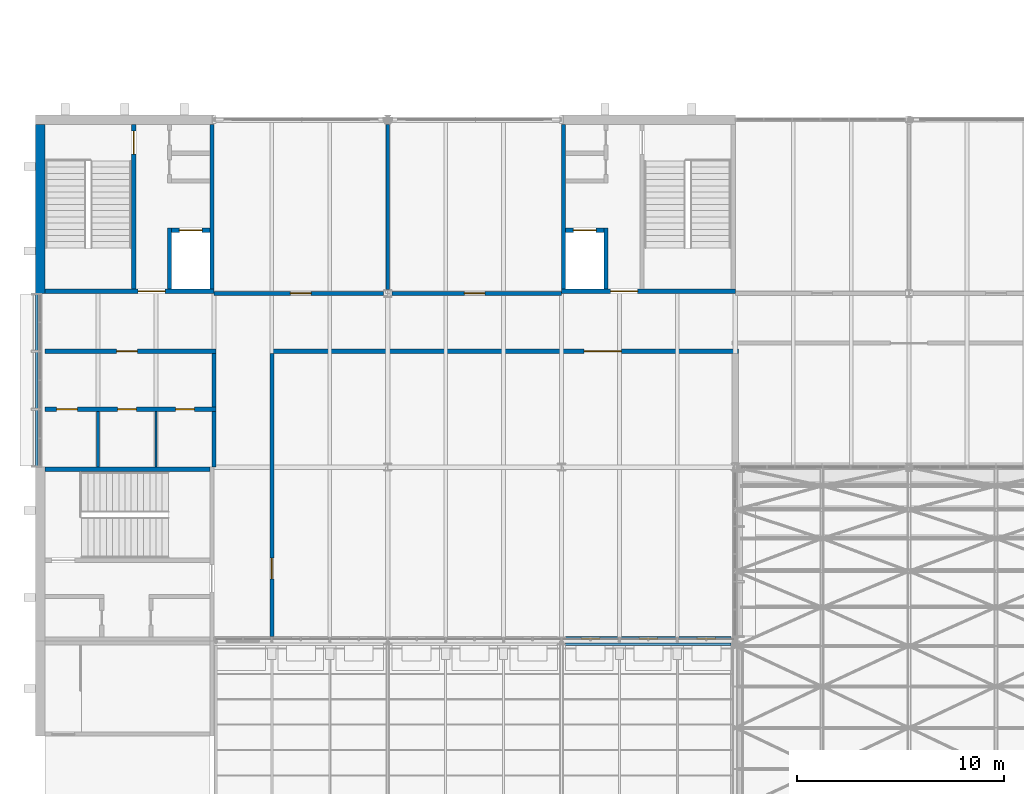
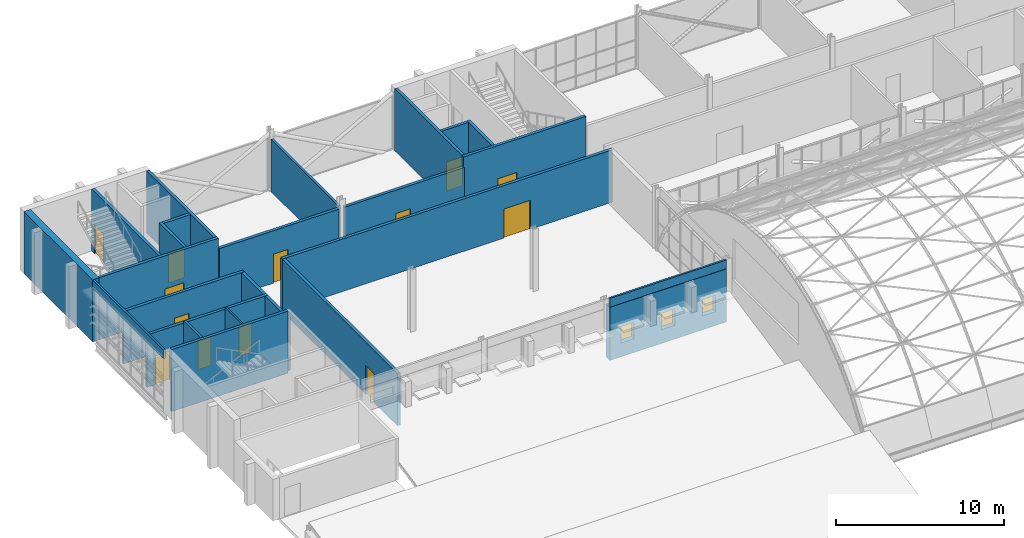
# One storey, part 83 of 121: 25 walls, 13 doors, 3 windows, 16 openings.
"""IFC4 building model written with IfcOpenShell, lengths in metres."""

from ifc_helpers import new_model, si_unit, direction, frame, frame_2d, origin, place, context, subcontext, project, spatial, rectangle, extrude, material, layer, layer_set, type_object, element, fill, save


model = new_model("IFC4")

# Units and contexts
model_context = context("Model", 3, precision=1e-05, world=origin(), true_north=direction((0.0, 1.0)))
body_context = subcontext(model_context, "Body", "Model", "MODEL_VIEW")
ifc_project = project(units=[si_unit("LENGTHUNIT", "METRE"), si_unit("AREAUNIT", "SQUARE_METRE"), si_unit("VOLUMEUNIT", "CUBIC_METRE"), si_unit("PLANEANGLEUNIT", "RADIAN"), si_unit("MASSUNIT", "GRAM", prefix="KILO")], contexts=[model_context])

# Site, building, storey
site_placement = place(None, origin())
site = spatial("IfcSite", under=ifc_project, at=site_placement, CompositionType="ELEMENT")
building_placement = place(site_placement, origin())
building = spatial("IfcBuilding", under=site, at=building_placement, Name="Ardhachandra Cancer Care Centre", CompositionType="ELEMENT")
storey_placement = place(building_placement, frame((0.0, 0.0, 9.0)))
storey = spatial("IfcBuildingStorey", under=building, at=storey_placement, Name="L02", CompositionType="ELEMENT", Elevation=9.0)

# Wall, openings, windows
ifc_material_1 = material(Name="Brick masonry (clay brick, cement mortar) with mineral wool cavity insulation", Category="masonry")
ifc_layer_1 = layer(ifc_material_1, 0.449951171875)
ifc_layer_set_1 = layer_set([ifc_layer_1], Name="Brick masonry (clay brick, cement mortar) with mineral wool cavity insulation")
wall_type_1 = type_object("IfcWallType", Name="Brick wall 450", PredefinedType="SOLIDWALL", material=ifc_layer_set_1)
wall_1_placement = place(storey_placement, frame((36.195556640625, 71.39990234375, 0.0), z_axis=(0.0, 0.0, 1.0), x_axis=(1.0, 0.0, 0.0)))
wall_1 = element("IfcWall", 1, at=wall_1_placement, inside=storey, type_object=wall_type_1, Name="E/wall/L02/s/0036000_0071400", PredefinedType="SOLIDWALL", context=body_context, shape_type="SweptSolid", body=[
    extrude(rectangle(XDim=8.009033203125, YDim=0.449951171875, at=frame_2d((4.00439453125, 0.0))), origin(), (0.0, 0.0, 1.0), 3.85009765625),
])
opening_1_placement = place(wall_1_placement, frame((0.75439453125, 0.0, 1.0)))
opening_1 = element("IfcOpeningElement", 2, at=opening_1_placement, cuts=wall_1, Name="Opening W10", PredefinedType="OPENING", context=body_context, shape_type="SweptSolid", body=[
    extrude(rectangle(XDim=0.89990234375, YDim=1.199951171875, at=frame_2d((0.449951171875, 0.60009765625))), frame((0.0, 0.23486328125, 0.0), z_axis=(0.0, -1.0, 0.0), x_axis=(1.0, 0.0, 0.0)), (0.0, 0.0, 1.0), 0.469970703125),
])
opening_2_placement = place(wall_1_placement, frame((3.554443359375, 0.0, 1.0)))
opening_2 = element("IfcOpeningElement", 3, at=opening_2_placement, cuts=wall_1, Name="Opening W10", PredefinedType="OPENING", context=body_context, shape_type="SweptSolid", body=[
    extrude(rectangle(XDim=0.89990234375, YDim=1.199951171875, at=frame_2d((0.449951171875, 0.60009765625))), frame((0.0, 0.23486328125, 0.0), z_axis=(0.0, -1.0, 0.0), x_axis=(1.0, 0.0, 0.0)), (0.0, 0.0, 1.0), 0.469970703125),
])
opening_3_placement = place(wall_1_placement, frame((6.3544921875, 0.0, 1.0)))
opening_3 = element("IfcOpeningElement", 4, at=opening_3_placement, cuts=wall_1, Name="Opening W10", PredefinedType="OPENING", context=body_context, shape_type="SweptSolid", body=[
    extrude(rectangle(XDim=0.89990234375, YDim=1.199951171875, at=frame_2d((0.449951171875, 0.60009765625))), frame((0.0, 0.23486328125, 0.0), z_axis=(0.0, -1.0, 0.0), x_axis=(1.0, 0.0, 0.0)), (0.0, 0.0, 1.0), 0.469970703125),
])
ifc_material_2 = material(Name="Aluminium frame with double-glazed unit", Category="aluminium")
window_type = type_object("IfcWindowType", Name="Small deep-set window 900 x 1200", PartitioningType="SINGLE_PANEL", PredefinedType="WINDOW", material=ifc_material_2)
window_1_placement = place(opening_1_placement, origin())
window_1 = element("IfcWindow", 5, at=window_1_placement, inside=storey, type_object=window_type, Name="W10 window L02 s/0036000_0071400 1", OverallHeight=1.199951171875, OverallWidth=0.89990234375, PartitioningType="SINGLE_PANEL", PredefinedType="WINDOW", context=body_context, shape_type="SweptSolid", body=[
    extrude(rectangle(XDim=0.89990234375, YDim=1.199951171875, at=frame_2d((0.449951171875, 0.60009765625))), frame((0.0, 0.135009765625, 0.0), z_axis=(0.0, -1.0, 0.0), x_axis=(1.0, 0.0, 0.0)), (0.0, 0.0, 1.0), 0.06005859375),
])
fill(opening_1, window_1)
window_2_placement = place(opening_2_placement, origin())
window_2 = element("IfcWindow", 6, at=window_2_placement, inside=storey, type_object=window_type, Name="W10 window L02 s/0036000_0071400 2", OverallHeight=1.199951171875, OverallWidth=0.89990234375, PartitioningType="SINGLE_PANEL", PredefinedType="WINDOW", context=body_context, shape_type="SweptSolid", body=[
    extrude(rectangle(XDim=0.89990234375, YDim=1.199951171875, at=frame_2d((0.449951171875, 0.60009765625))), frame((0.0, 0.135009765625, 0.0), z_axis=(0.0, -1.0, 0.0), x_axis=(1.0, 0.0, 0.0)), (0.0, 0.0, 1.0), 0.06005859375),
])
fill(opening_2, window_2)
window_3_placement = place(opening_3_placement, origin())
window_3 = element("IfcWindow", 7, at=window_3_placement, inside=storey, type_object=window_type, Name="W10 window L02 s/0036000_0071400 3", OverallHeight=1.199951171875, OverallWidth=0.89990234375, PartitioningType="SINGLE_PANEL", PredefinedType="WINDOW", context=body_context, shape_type="SweptSolid", body=[
    extrude(rectangle(XDim=0.89990234375, YDim=1.199951171875, at=frame_2d((0.449951171875, 0.60009765625))), frame((0.0, 0.135009765625, 0.0), z_axis=(0.0, -1.0, 0.0), x_axis=(1.0, 0.0, 0.0)), (0.0, 0.0, 1.0), 0.06005859375),
])
fill(opening_3, window_3)

# Wall, openings, doors
ifc_material_3 = material(Name="Gypsum board corridor partition on steel studs", Category="steel")
ifc_layer_2 = layer(ifc_material_3, 0.199951171875)
ifc_layer_set_2 = layer_set([ifc_layer_2], Name="Gypsum board corridor partition on steel studs")
wall_type_2 = type_object("IfcWallType", Name="CORRIDOR WALL 200", PredefinedType="PARTITIONING", material=ifc_layer_set_2)
wall_2_placement = place(storey_placement, frame((11.02490234375, 82.60009765625, 0.0), z_axis=(0.0, 0.0, 1.0), x_axis=(1.0, 0.0, 0.0)))
wall_2 = element("IfcWall", 8, at=wall_2_placement, inside=storey, type_object=wall_type_2, Name="R/wall/L02/h0082600_0011025", PredefinedType="PARTITIONING", context=body_context, shape_type="SweptSolid", body=[
    extrude(rectangle(XDim=8.275146484375, YDim=0.199951171875, at=frame_2d((4.1376953125, 0.0))), origin(), (0.0, 0.0, 1.0), 3.800048828125),
])
opening_4_placement = place(wall_2_placement, frame((0.574951171875, 0.0, 0.0)))
opening_4 = element("IfcOpeningElement", 9, at=opening_4_placement, cuts=wall_2, Name="Opening L02-0002", PredefinedType="OPENING", context=body_context, shape_type="SweptSolid", body=[
    extrude(rectangle(XDim=1.0, YDim=2.10009765625, at=frame_2d((0.5, 1.050048828125))), frame((0.0, 0.10986328125, 0.0), z_axis=(0.0, -1.0, 0.0), x_axis=(1.0, 0.0, 0.0)), (0.0, 0.0, 1.0), 0.219970703125),
])
opening_5_placement = place(wall_2_placement, frame((3.52490234375, 0.0, 0.0)))
opening_5 = element("IfcOpeningElement", 10, at=opening_5_placement, cuts=wall_2, Name="Opening L02-0003", PredefinedType="OPENING", context=body_context, shape_type="SweptSolid", body=[
    extrude(rectangle(XDim=0.89990234375, YDim=2.10009765625, at=frame_2d((0.449951171875, 1.050048828125))), frame((0.0, 0.10986328125, 0.0), z_axis=(0.0, -1.0, 0.0), x_axis=(1.0, 0.0, 0.0)), (0.0, 0.0, 1.0), 0.219970703125),
])
opening_6_placement = place(wall_2_placement, frame((6.324951171875, 0.0, 0.0)))
opening_6 = element("IfcOpeningElement", 11, at=opening_6_placement, cuts=wall_2, Name="Opening L02-0004", PredefinedType="OPENING", context=body_context, shape_type="SweptSolid", body=[
    extrude(rectangle(XDim=0.89990234375, YDim=2.10009765625, at=frame_2d((0.449951171875, 1.050048828125))), frame((0.0, 0.10986328125, 0.0), z_axis=(0.0, -1.0, 0.0), x_axis=(1.0, 0.0, 0.0)), (0.0, 0.0, 1.0), 0.219970703125),
])
ifc_material_4 = material(Name="Timber fire door with smoke seals", Category="wood")
door_type_1 = type_object("IfcDoorType", Name="FIRE DOOR SINGLE 1000x2100 FD30S", OperationType="NOTDEFINED", PredefinedType="DOOR", material=ifc_material_4)
door_1_placement = place(opening_4_placement, origin())
door_1 = element("IfcDoor", 12, at=door_1_placement, inside=storey, type_object=door_type_1, Name="Door L02-0002", OperationType="SINGLE_SWING_RIGHT", OverallHeight=2.10009765625, OverallWidth=1.0, PredefinedType="DOOR", context=body_context, shape_type="SweptSolid", body=[
    extrude(rectangle(XDim=1.0, YDim=2.10009765625, at=frame_2d((0.5, 1.050048828125))), frame((0.0, 0.02490234375, 0.0), z_axis=(0.0, -1.0, 0.0), x_axis=(1.0, 0.0, 0.0)), (0.0, 0.0, 1.0), 0.050048828125),
])
fill(opening_4, door_1)
ifc_material_5 = material(Name="Timber fire door with smoke seals", Category="wood")
door_type_2 = type_object("IfcDoorType", Name="FIRE DOOR WC 900x2100 FD30S", OperationType="NOTDEFINED", PredefinedType="DOOR", material=ifc_material_5)
door_2_placement = place(opening_5_placement, origin())
door_2 = element("IfcDoor", 13, at=door_2_placement, inside=storey, type_object=door_type_2, Name="Door L02-0003", OperationType="SINGLE_SWING_RIGHT", OverallHeight=2.10009765625, OverallWidth=0.89990234375, PredefinedType="DOOR", context=body_context, shape_type="SweptSolid", body=[
    extrude(rectangle(XDim=0.89990234375, YDim=2.10009765625, at=frame_2d((0.449951171875, 1.050048828125))), frame((0.0, 0.02490234375, 0.0), z_axis=(0.0, -1.0, 0.0), x_axis=(1.0, 0.0, 0.0)), (0.0, 0.0, 1.0), 0.050048828125),
])
fill(opening_5, door_2)
door_3_placement = place(opening_6_placement, origin())
door_3 = element("IfcDoor", 14, at=door_3_placement, inside=storey, type_object=door_type_2, Name="Door L02-0004", OperationType="SINGLE_SWING_LEFT", OverallHeight=2.10009765625, OverallWidth=0.89990234375, PredefinedType="DOOR", context=body_context, shape_type="SweptSolid", body=[
    extrude(rectangle(XDim=0.89990234375, YDim=2.10009765625, at=frame_2d((0.449951171875, 1.050048828125))), frame((0.0, 0.02490234375, 0.0), z_axis=(0.0, -1.0, 0.0), x_axis=(1.0, 0.0, 0.0)), (0.0, 0.0, 1.0), 0.050048828125),
])
fill(opening_6, door_3)

# Wall, opening, door
wall_3_placement = place(storey_placement, frame((11.02490234375, 85.39990234375, 0.0), z_axis=(0.0, 0.0, 1.0), x_axis=(1.0, 0.0, 0.0)))
wall_3 = element("IfcWall", 15, at=wall_3_placement, inside=storey, type_object=wall_type_2, Name="R/wall/L02/h0085400_0011025", PredefinedType="PARTITIONING", context=body_context, shape_type="SweptSolid", body=[
    extrude(rectangle(XDim=8.275146484375, YDim=0.199951171875, at=frame_2d((4.1376953125, 0.0))), origin(), (0.0, 0.0, 1.0), 3.800048828125),
])
opening_7_placement = place(wall_3_placement, frame((3.47509765625, 0.0, 0.0)))
opening_7 = element("IfcOpeningElement", 16, at=opening_7_placement, cuts=wall_3, Name="Opening L02-0008", PredefinedType="OPENING", context=body_context, shape_type="SweptSolid", body=[
    extrude(rectangle(XDim=1.0, YDim=2.10009765625, at=frame_2d((0.5, 1.050048828125))), frame((0.0, 0.10986328125, 0.0), z_axis=(0.0, -1.0, 0.0), x_axis=(1.0, 0.0, 0.0)), (0.0, 0.0, 1.0), 0.219970703125),
])
door_4_placement = place(opening_7_placement, origin())
door_4 = element("IfcDoor", 17, at=door_4_placement, inside=storey, type_object=door_type_1, Name="Door L02-0008", OperationType="SINGLE_SWING_RIGHT", OverallHeight=2.10009765625, OverallWidth=1.0, PredefinedType="DOOR", context=body_context, shape_type="SweptSolid", body=[
    extrude(rectangle(XDim=1.0, YDim=2.10009765625, at=frame_2d((0.5, 1.050048828125))), frame((0.0, 0.02490234375, 0.0), z_axis=(0.0, -1.0, 0.0), x_axis=(1.0, 0.0, 0.0)), (0.0, 0.0, 1.0), 0.050048828125),
])
fill(opening_7, door_4)

wall_4_placement = place(storey_placement, frame((21.89990234375, 85.39990234375, 0.0), z_axis=(0.0, 0.0, 1.0), x_axis=(1.0, 0.0, 0.0)))
wall_4 = element("IfcWall", 18, at=wall_4_placement, inside=storey, type_object=wall_type_2, Name="R/wall/L02/h0085400_0021900", PredefinedType="PARTITIONING", context=body_context, shape_type="SweptSolid", body=[
    extrude(rectangle(XDim=22.650146484375, YDim=0.199951171875, at=frame_2d((11.3251953125, 0.0))), origin(), (0.0, 0.0, 1.0), 3.800048828125),
])
opening_8_placement = place(wall_4_placement, frame((15.199951171875, 0.0, 0.0)))
opening_8 = element("IfcOpeningElement", 19, at=opening_8_placement, cuts=wall_4, Name="Opening L02-0009", PredefinedType="OPENING", context=body_context, shape_type="SweptSolid", body=[
    extrude(rectangle(XDim=1.800048828125, YDim=2.10009765625, at=frame_2d((0.89990234375, 1.050048828125))), frame((0.0, 0.10986328125, 0.0), z_axis=(0.0, -1.0, 0.0), x_axis=(1.0, 0.0, 0.0)), (0.0, 0.0, 1.0), 0.219970703125),
])
ifc_material_6 = material(Name="Timber fire door with smoke seals", Category="wood")
door_type_3 = type_object("IfcDoorType", Name="FIRE DOOR DOUBLE 1800x2100 FD30S", OperationType="NOTDEFINED", PredefinedType="DOOR", material=ifc_material_6)
door_5_placement = place(opening_8_placement, origin())
door_5 = element("IfcDoor", 20, at=door_5_placement, inside=storey, type_object=door_type_3, Name="Door L02-0009", OperationType="DOUBLE_DOOR_SINGLE_SWING", OverallHeight=2.10009765625, OverallWidth=1.800048828125, PredefinedType="DOOR", context=body_context, shape_type="SweptSolid", body=[
    extrude(rectangle(XDim=1.800048828125, YDim=2.10009765625, at=frame_2d((0.89990234375, 1.050048828125))), frame((0.0, 0.02490234375, 0.0), z_axis=(0.0, -1.0, 0.0), x_axis=(1.0, 0.0, 0.0)), (0.0, 0.0, 1.0), 0.050048828125),
])
fill(opening_8, door_5)

wall_5_placement = place(storey_placement, frame((19.199951171875, 88.199951171875, 0.0), z_axis=(0.0, 0.0, 1.0), x_axis=(1.0, 0.0, 0.0)))
wall_5 = element("IfcWall", 21, at=wall_5_placement, inside=storey, type_object=wall_type_2, Name="R/wall/L02/h0088200_0019200", PredefinedType="PARTITIONING", context=body_context, shape_type="SweptSolid", body=[
    extrude(rectangle(XDim=8.20458984375, YDim=0.199951171875, at=frame_2d((4.102294921875, 0.0))), origin(), (0.0, 0.0, 1.0), 3.800048828125),
])
opening_9_placement = place(wall_5_placement, frame((3.699951171875, 0.0, 0.0)))
opening_9 = element("IfcOpeningElement", 22, at=opening_9_placement, cuts=wall_5, Name="Opening L02-0017", PredefinedType="OPENING", context=body_context, shape_type="SweptSolid", body=[
    extrude(rectangle(XDim=1.0, YDim=2.10009765625, at=frame_2d((0.5, 1.050048828125))), frame((0.0, 0.10986328125, 0.0), z_axis=(0.0, -1.0, 0.0), x_axis=(1.0, 0.0, 0.0)), (0.0, 0.0, 1.0), 0.219970703125),
])
door_6_placement = place(opening_9_placement, origin())
door_6 = element("IfcDoor", 23, at=door_6_placement, inside=storey, type_object=door_type_1, Name="Door L02-0017", OperationType="SINGLE_SWING_RIGHT", OverallHeight=2.10009765625, OverallWidth=1.0, PredefinedType="DOOR", context=body_context, shape_type="SweptSolid", body=[
    extrude(rectangle(XDim=1.0, YDim=2.10009765625, at=frame_2d((0.5, 1.050048828125))), frame((0.0, 0.02490234375, 0.0), z_axis=(0.0, -1.0, 0.0), x_axis=(1.0, 0.0, 0.0)), (0.0, 0.0, 1.0), 0.050048828125),
])
fill(opening_9, door_6)

wall_6_placement = place(storey_placement, frame((27.79541015625, 88.199951171875, 0.0), z_axis=(0.0, 0.0, 1.0), x_axis=(1.0, 0.0, 0.0)))
wall_6 = element("IfcWall", 24, at=wall_6_placement, inside=storey, type_object=wall_type_2, Name="R/wall/L02/h0088200_0027796", PredefinedType="PARTITIONING", context=body_context, shape_type="SweptSolid", body=[
    extrude(rectangle(XDim=8.20458984375, YDim=0.199951171875, at=frame_2d((4.102294921875, 0.0))), origin(), (0.0, 0.0, 1.0), 3.800048828125),
])
opening_10_placement = place(wall_6_placement, frame((3.50439453125, 0.0, 0.0)))
opening_10 = element("IfcOpeningElement", 25, at=opening_10_placement, cuts=wall_6, Name="Opening L02-0018", PredefinedType="OPENING", context=body_context, shape_type="SweptSolid", body=[
    extrude(rectangle(XDim=1.0, YDim=2.10009765625, at=frame_2d((0.5, 1.050048828125))), frame((0.0, 0.10986328125, 0.0), z_axis=(0.0, -1.0, 0.0), x_axis=(1.0, 0.0, 0.0)), (0.0, 0.0, 1.0), 0.219970703125),
])
door_7_placement = place(opening_10_placement, origin())
door_7 = element("IfcDoor", 26, at=door_7_placement, inside=storey, type_object=door_type_1, Name="Door L02-0018", OperationType="SINGLE_SWING_LEFT", OverallHeight=2.10009765625, OverallWidth=1.0, PredefinedType="DOOR", context=body_context, shape_type="SweptSolid", body=[
    extrude(rectangle(XDim=1.0, YDim=2.10009765625, at=frame_2d((0.5, 1.050048828125))), frame((0.0, 0.02490234375, 0.0), z_axis=(0.0, -1.0, 0.0), x_axis=(1.0, 0.0, 0.0)), (0.0, 0.0, 1.0), 0.050048828125),
])
fill(opening_10, door_7)

# Walls
wall_7_placement = place(storey_placement, frame((19.199951171875, 79.800048828125, 0.0), z_axis=(0.0, 0.0, 1.0), x_axis=(0.0, 1.0, 0.0)))
element("IfcWall", 27, at=wall_7_placement, inside=storey, type_object=wall_type_2, Name="R/wall/L02/v0019200_0079800", PredefinedType="PARTITIONING", context=body_context, shape_type="SweptSolid", body=[
    extrude(rectangle(XDim=2.699951171875, YDim=0.199951171875, at=frame_2d((1.35009765625, 0.0))), origin(), (0.0, 0.0, 1.0), 3.800048828125),
])
wall_8_placement = place(storey_placement, frame((19.199951171875, 82.699951171875, 0.0), z_axis=(0.0, 0.0, 1.0), x_axis=(0.0, 1.0, 0.0)))
element("IfcWall", 28, at=wall_8_placement, inside=storey, type_object=wall_type_2, Name="R/wall/L02/v0019200_0082700", PredefinedType="PARTITIONING", context=body_context, shape_type="SweptSolid", body=[
    extrude(rectangle(XDim=2.60009765625, YDim=0.199951171875, at=frame_2d((1.300048828125, 0.0))), origin(), (0.0, 0.0, 1.0), 3.800048828125),
])

# Wall, opening, door
wall_9_placement = place(storey_placement, frame((22.0, 71.625, 0.0), z_axis=(0.0, 0.0, 1.0), x_axis=(0.0, 1.0, 0.0)))
wall_9 = element("IfcWall", 29, at=wall_9_placement, inside=storey, type_object=wall_type_2, Name="R/wall/L02/v0022000_0071625", PredefinedType="PARTITIONING", context=body_context, shape_type="SweptSolid", body=[
    extrude(rectangle(XDim=13.675048828125, YDim=0.199951171875, at=frame_2d((6.83740234375, 0.0))), origin(), (0.0, 0.0, 1.0), 3.800048828125),
])
opening_11_placement = place(wall_9_placement, frame((2.77490234375, 0.0, 0.0)))
opening_11 = element("IfcOpeningElement", 30, at=opening_11_placement, cuts=wall_9, Name="Opening L02-0034", PredefinedType="OPENING", context=body_context, shape_type="SweptSolid", body=[
    extrude(rectangle(XDim=1.0, YDim=2.10009765625, at=frame_2d((0.5, 1.050048828125))), frame((0.0, 0.10986328125, 0.0), z_axis=(0.0, -1.0, 0.0), x_axis=(1.0, 0.0, 0.0)), (0.0, 0.0, 1.0), 0.219970703125),
])
door_8_placement = place(opening_11_placement, origin())
door_8 = element("IfcDoor", 31, at=door_8_placement, inside=storey, type_object=door_type_1, Name="Door L02-0034", OperationType="SINGLE_SWING_RIGHT", OverallHeight=2.10009765625, OverallWidth=1.0, PredefinedType="DOOR", context=body_context, shape_type="SweptSolid", body=[
    extrude(rectangle(XDim=1.0, YDim=2.10009765625, at=frame_2d((0.5, 1.050048828125))), frame((0.0, 0.02490234375, 0.0), z_axis=(0.0, -1.0, 0.0), x_axis=(1.0, 0.0, 0.0)), (0.0, 0.0, 1.0), 0.050048828125),
])
fill(opening_11, door_8)

# Wall
ifc_material_7 = material(Name="Concrete M40", Category="concrete")
ifc_layer_3 = layer(ifc_material_7, 0.449951171875)
ifc_layer_set_3 = layer_set([ifc_layer_3], Name="Concrete M40")
wall_type_3 = type_object("IfcWallType", Name="Core exterior wall RC 450", PredefinedType="SOLIDWALL", material=ifc_layer_set_3)
wall_10_placement = place(storey_placement, frame((10.800048828125, 88.199951171875, 0.0), z_axis=(0.0, 0.0, 1.0), x_axis=(0.0, 1.0, 0.0)))
element("IfcWall", 32, at=wall_10_placement, inside=storey, type_object=wall_type_3, Name="Core wall K4 UW", PredefinedType="SOLIDWALL", context=body_context, shape_type="SweptSolid", body=[
    extrude(rectangle(XDim=8.175048828125, YDim=0.449951171875, at=frame_2d((4.08740234375, 0.0))), origin(), (0.0, 0.0, 1.0), 4.5),
])

# Wall, opening, door
ifc_material_8 = material(Name="Concrete M40", Category="concrete")
ifc_layer_4 = layer(ifc_material_8, 0.199951171875)
ifc_layer_set_4 = layer_set([ifc_layer_4], Name="Concrete M40")
wall_type_4 = type_object("IfcWallType", Name="Core wall RC 200", PredefinedType="SOLIDWALL", material=ifc_layer_set_4)
wall_11_placement = place(storey_placement, frame((11.02490234375, 88.300048828125, 0.0), z_axis=(0.0, 0.0, 1.0), x_axis=(1.0, 0.0, 0.0)))
wall_11 = element("IfcWall", 33, at=wall_11_placement, inside=storey, type_object=wall_type_4, Name="Core wall K4 ENT", PredefinedType="SOLIDWALL", context=body_context, shape_type="SweptSolid", body=[
    extrude(rectangle(XDim=8.175048828125, YDim=0.199951171875, at=frame_2d((4.08740234375, 0.0))), origin(), (0.0, 0.0, 1.0), 4.5),
])
opening_12_placement = place(wall_11_placement, frame((4.512451171875, 0.0, 0.0)))
opening_12 = element("IfcOpeningElement", 34, at=opening_12_placement, cuts=wall_11, Name="Opening L02-K04-1", PredefinedType="OPENING", context=body_context, shape_type="SweptSolid", body=[
    extrude(rectangle(XDim=1.300048828125, YDim=2.10009765625, at=frame_2d((0.64990234375, 1.050048828125))), frame((0.0, 0.10986328125, 0.0), z_axis=(0.0, -1.0, 0.0), x_axis=(1.0, 0.0, 0.0)), (0.0, 0.0, 1.0), 0.219970703125),
])
ifc_material_9 = material(Name="Steel door set", Category="steel")
door_type_4 = type_object("IfcDoorType", Name="Core entry double door 1300x2100 FD60", OperationType="DOUBLE_DOOR_DOUBLE_SWING", PredefinedType="DOOR", material=ifc_material_9)
door_9_placement = place(opening_12_placement, origin())
door_9 = element("IfcDoor", 35, at=door_9_placement, inside=storey, type_object=door_type_4, Name="Core entry door", OperationType="DOUBLE_DOOR_DOUBLE_SWING", OverallHeight=2.10009765625, OverallWidth=1.300048828125, PredefinedType="DOOR", context=body_context, shape_type="SweptSolid", body=[
    extrude(rectangle(XDim=1.300048828125, YDim=2.10009765625, at=frame_2d((0.64990234375, 1.050048828125))), frame((0.0, 0.02490234375, 0.0), z_axis=(0.0, -1.0, 0.0), x_axis=(1.0, 0.0, 0.0)), (0.0, 0.0, 1.0), 0.050048828125),
])
fill(opening_12, door_9)

# Wall
wall_12_placement = place(storey_placement, frame((19.10009765625, 88.39990234375, 0.0), z_axis=(0.0, 0.0, 1.0), x_axis=(0.0, 1.0, 0.0)))
element("IfcWall", 36, at=wall_12_placement, inside=storey, type_object=wall_type_4, Name="Core wall K4 UE", PredefinedType="SOLIDWALL", context=body_context, shape_type="SweptSolid", body=[
    extrude(rectangle(XDim=7.97509765625, YDim=0.199951171875, at=frame_2d((3.987548828125, 0.0))), origin(), (0.0, 0.0, 1.0), 4.5),
])

# Wall, opening, door
wall_13_placement = place(storey_placement, frame((15.324951171875, 88.39990234375, 0.0), z_axis=(0.0, 0.0, 1.0), x_axis=(0.0, 1.0, 0.0)))
wall_13 = element("IfcWall", 37, at=wall_13_placement, inside=storey, type_object=wall_type_4, Name="Core wall K4 P1", PredefinedType="SOLIDWALL", context=body_context, shape_type="SweptSolid", body=[
    extrude(rectangle(XDim=7.97509765625, YDim=0.199951171875, at=frame_2d((3.987548828125, 0.0))), origin(), (0.0, 0.0, 1.0), 4.5),
])
opening_13_placement = place(wall_13_placement, frame((6.53759765625, 0.0, 0.0)))
opening_13 = element("IfcOpeningElement", 38, at=opening_13_placement, cuts=wall_13, Name="Opening L02-K04-2", PredefinedType="OPENING", context=body_context, shape_type="SweptSolid", body=[
    extrude(rectangle(XDim=1.10009765625, YDim=2.10009765625, at=frame_2d((0.550048828125, 1.050048828125))), frame((0.0, 0.10986328125, 0.0), z_axis=(0.0, -1.0, 0.0), x_axis=(1.0, 0.0, 0.0)), (0.0, 0.0, 1.0), 0.219970703125),
])
ifc_material_10 = material(Name="Steel door set", Category="steel")
door_type_5 = type_object("IfcDoorType", Name="Stair door 1100x2100 FD60S", OperationType="NOTDEFINED", PredefinedType="DOOR", material=ifc_material_10)
door_10_placement = place(opening_13_placement, origin())
door_10 = element("IfcDoor", 39, at=door_10_placement, inside=storey, type_object=door_type_5, Name="Stair door", OperationType="SINGLE_SWING_RIGHT", OverallHeight=2.10009765625, OverallWidth=1.10009765625, PredefinedType="DOOR", context=body_context, shape_type="SweptSolid", body=[
    extrude(rectangle(XDim=1.10009765625, YDim=2.10009765625, at=frame_2d((0.550048828125, 1.050048828125))), frame((0.0, 0.02490234375, 0.0), z_axis=(0.0, -1.0, 0.0), x_axis=(1.0, 0.0, 0.0)), (0.0, 0.0, 1.0), 0.050048828125),
])
fill(opening_13, door_10)

# Wall
wall_14_placement = place(storey_placement, frame((17.050048828125, 88.39990234375, 0.0), z_axis=(0.0, 0.0, 1.0), x_axis=(0.0, 1.0, 0.0)))
element("IfcWall", 40, at=wall_14_placement, inside=storey, type_object=wall_type_4, Name="Core wall K4 P2A", PredefinedType="SOLIDWALL", context=body_context, shape_type="SweptSolid", body=[
    extrude(rectangle(XDim=2.9501953125, YDim=0.199951171875, at=frame_2d((1.47509765625, 0.0))), origin(), (0.0, 0.0, 1.0), 4.5),
])

# Wall, opening, door
wall_15_placement = place(storey_placement, frame((17.14990234375, 91.25, 0.0), z_axis=(0.0, 0.0, 1.0), x_axis=(1.0, 0.0, 0.0)))
wall_15 = element("IfcWall", 41, at=wall_15_placement, inside=storey, type_object=wall_type_4, Name="Core wall K4 W1", PredefinedType="SOLIDWALL", context=body_context, shape_type="SweptSolid", body=[
    extrude(rectangle(XDim=1.85009765625, YDim=0.199951171875, at=frame_2d((0.925048828125, 0.0))), origin(), (0.0, 0.0, 1.0), 4.5),
])
opening_14_placement = place(wall_15_placement, frame((0.375, 0.0, 0.0)))
opening_14 = element("IfcOpeningElement", 42, at=opening_14_placement, cuts=wall_15, Name="Opening L02-K04-3", PredefinedType="OPENING", context=body_context, shape_type="SweptSolid", body=[
    extrude(rectangle(XDim=1.10009765625, YDim=2.10009765625, at=frame_2d((0.550048828125, 1.050048828125))), frame((0.0, 0.10986328125, 0.0), z_axis=(0.0, -1.0, 0.0), x_axis=(1.0, 0.0, 0.0)), (0.0, 0.0, 1.0), 0.219970703125),
])
ifc_material_11 = material(Name="Stainless steel (grade 304)", Category="steel")
door_type_6 = type_object("IfcDoorType", Name="Lift landing door 1100x2100", OperationType="DOUBLE_DOOR_SLIDING", PredefinedType="DOOR", material=ifc_material_11)
door_11_placement = place(opening_14_placement, origin())
door_11 = element("IfcDoor", 43, at=door_11_placement, inside=storey, type_object=door_type_6, Name="Lift landing door LF-K4-1", OperationType="DOUBLE_DOOR_SLIDING", OverallHeight=2.10009765625, OverallWidth=1.10009765625, PredefinedType="DOOR", context=body_context, shape_type="SweptSolid", body=[
    extrude(rectangle(XDim=1.10009765625, YDim=2.10009765625, at=frame_2d((0.550048828125, 1.050048828125))), frame((0.0, 0.02490234375, 0.0), z_axis=(0.0, -1.0, 0.0), x_axis=(1.0, 0.0, 0.0)), (0.0, 0.0, 1.0), 0.050048828125),
])
fill(opening_14, door_11)

wall_16_placement = place(storey_placement, frame((44.39990234375, 88.300048828125, 0.0), z_axis=(0.0, 0.0, 1.0), x_axis=(-1.0, 0.0, 0.0)))
wall_16 = element("IfcWall", 44, at=wall_16_placement, inside=storey, type_object=wall_type_4, Name="Core wall K5 ENT", PredefinedType="SOLIDWALL", context=body_context, shape_type="SweptSolid", body=[
    extrude(rectangle(XDim=8.39990234375, YDim=0.199951171875, at=frame_2d((4.199951171875, 0.0))), origin(), (0.0, 0.0, 1.0), 4.5),
])
opening_15_placement = place(wall_16_placement, frame((4.72509765625, 0.0, 0.0)))
opening_15 = element("IfcOpeningElement", 45, at=opening_15_placement, cuts=wall_16, Name="Opening L02-K05-1", PredefinedType="OPENING", context=body_context, shape_type="SweptSolid", body=[
    extrude(rectangle(XDim=1.300048828125, YDim=2.10009765625, at=frame_2d((0.64990234375, 1.050048828125))), frame((0.0, 0.10986328125, 0.0), z_axis=(0.0, -1.0, 0.0), x_axis=(1.0, 0.0, 0.0)), (0.0, 0.0, 1.0), 0.219970703125),
])
door_12_placement = place(opening_15_placement, origin())
door_12 = element("IfcDoor", 46, at=door_12_placement, inside=storey, type_object=door_type_4, Name="Core entry door", OperationType="DOUBLE_DOOR_DOUBLE_SWING", OverallHeight=2.10009765625, OverallWidth=1.300048828125, PredefinedType="DOOR", context=body_context, shape_type="SweptSolid", body=[
    extrude(rectangle(XDim=1.300048828125, YDim=2.10009765625, at=frame_2d((0.64990234375, 1.050048828125))), frame((0.0, 0.02490234375, 0.0), z_axis=(0.0, -1.0, 0.0), x_axis=(1.0, 0.0, 0.0)), (0.0, 0.0, 1.0), 0.050048828125),
])
fill(opening_15, door_12)

# Walls
wall_17_placement = place(storey_placement, frame((36.10009765625, 88.39990234375, 0.0), z_axis=(0.0, 0.0, 1.0), x_axis=(0.0, 1.0, 0.0)))
element("IfcWall", 47, at=wall_17_placement, inside=storey, type_object=wall_type_4, Name="Core wall K5 UE", PredefinedType="SOLIDWALL", context=body_context, shape_type="SweptSolid", body=[
    extrude(rectangle(XDim=7.97509765625, YDim=0.199951171875, at=frame_2d((3.987548828125, 0.0))), origin(), (0.0, 0.0, 1.0), 4.5),
])
wall_18_placement = place(storey_placement, frame((38.14990234375, 88.39990234375, 0.0), z_axis=(0.0, 0.0, 1.0), x_axis=(0.0, 1.0, 0.0)))
element("IfcWall", 48, at=wall_18_placement, inside=storey, type_object=wall_type_4, Name="Core wall K5 P2A", PredefinedType="SOLIDWALL", context=body_context, shape_type="SweptSolid", body=[
    extrude(rectangle(XDim=2.9501953125, YDim=0.199951171875, at=frame_2d((1.47509765625, 0.0))), origin(), (0.0, 0.0, 1.0), 4.5),
])

# Wall, opening, door
wall_19_placement = place(storey_placement, frame((38.050048828125, 91.25, 0.0), z_axis=(0.0, 0.0, 1.0), x_axis=(-1.0, 0.0, 0.0)))
wall_19 = element("IfcWall", 49, at=wall_19_placement, inside=storey, type_object=wall_type_4, Name="Core wall K5 W1", PredefinedType="SOLIDWALL", context=body_context, shape_type="SweptSolid", body=[
    extrude(rectangle(XDim=1.85009765625, YDim=0.199951171875, at=frame_2d((0.925048828125, 0.0))), origin(), (0.0, 0.0, 1.0), 4.5),
])
opening_16_placement = place(wall_19_placement, frame((0.375, 0.0, 0.0)))
opening_16 = element("IfcOpeningElement", 50, at=opening_16_placement, cuts=wall_19, Name="Opening L02-K05-3", PredefinedType="OPENING", context=body_context, shape_type="SweptSolid", body=[
    extrude(rectangle(XDim=1.10009765625, YDim=2.10009765625, at=frame_2d((0.550048828125, 1.050048828125))), frame((0.0, 0.10986328125, 0.0), z_axis=(0.0, -1.0, 0.0), x_axis=(1.0, 0.0, 0.0)), (0.0, 0.0, 1.0), 0.219970703125),
])
door_13_placement = place(opening_16_placement, origin())
door_13 = element("IfcDoor", 51, at=door_13_placement, inside=storey, type_object=door_type_6, Name="Lift landing door LF-K5-1", OperationType="DOUBLE_DOOR_SLIDING", OverallHeight=2.10009765625, OverallWidth=1.10009765625, PredefinedType="DOOR", context=body_context, shape_type="SweptSolid", body=[
    extrude(rectangle(XDim=1.10009765625, YDim=2.10009765625, at=frame_2d((0.550048828125, 1.050048828125))), frame((0.0, 0.02490234375, 0.0), z_axis=(0.0, -1.0, 0.0), x_axis=(1.0, 0.0, 0.0)), (0.0, 0.0, 1.0), 0.050048828125),
])
fill(opening_16, door_13)

# Walls
wall_20_placement = place(storey_placement, frame((19.0, 79.699951171875, 0.0), z_axis=(0.0, 0.0, 1.0), x_axis=(-1.0, 0.0, 0.0)))
element("IfcWall", 52, at=wall_20_placement, inside=storey, type_object=wall_type_4, Name="Core wall K6 UW", PredefinedType="SOLIDWALL", context=body_context, shape_type="SweptSolid", body=[
    extrude(rectangle(XDim=7.97509765625, YDim=0.199951171875, at=frame_2d((3.987548828125, 0.0))), origin(), (0.0, 0.0, 1.0), 4.5),
])
ifc_material_12 = material(Name="Precast Concrete M30 fascia panel with brick slip facing", Category="masonry")
ifc_layer_5 = layer(ifc_material_12, 0.1298828125)
ifc_layer_set_5 = layer_set([ifc_layer_5], Name="Precast Concrete M30 fascia panel with brick slip facing")
wall_type_5 = type_object("IfcWallType", Name="Edge beam fascia 130", PredefinedType="SOLIDWALL", material=ifc_layer_set_5)
wall_21_placement = place(storey_placement, frame((36.195556640625, 71.239990234375, 3.8701171875), z_axis=(0.0, 0.0, 1.0), x_axis=(1.0, 0.0, 0.0)))
element("IfcWall", 53, at=wall_21_placement, inside=storey, type_object=wall_type_5, Name="E/fascia/L02/s/0036000_0071400", PredefinedType="SOLIDWALL", context=body_context, shape_type="SweptSolid", body=[
    extrude(rectangle(XDim=8.009033203125, YDim=0.1298828125, at=frame_2d((4.00439453125, 0.0))), origin(), (0.0, 0.0, 1.0), 0.6298828125),
])
wall_22_placement = place(storey_placement, frame((10.639892578125, 79.800048828125, 3.8701171875), z_axis=(0.0, 0.0, 1.0), x_axis=(0.0, 1.0, 0.0)))
element("IfcWall", 54, at=wall_22_placement, inside=storey, type_object=wall_type_5, Name="E/fascia/L02/w/0010800_0079800", PredefinedType="SOLIDWALL", context=body_context, shape_type="SweptSolid", body=[
    extrude(rectangle(XDim=8.39990234375, YDim=0.1298828125, at=frame_2d((4.199951171875, 0.0))), origin(), (0.0, 0.0, 1.0), 0.6298828125),
])
ifc_material_13 = material(Name="Gypsum board partition on steel studs", Category="steel")
ifc_layer_6 = layer(ifc_material_13, 0.14990234375)
ifc_layer_set_6 = layer_set([ifc_layer_6], Name="Gypsum board partition on steel studs")
wall_type_6 = type_object("IfcWallType", Name="PARTITION 150", PredefinedType="PARTITIONING", material=ifc_layer_set_6)
wall_23_placement = place(storey_placement, frame((27.60009765625, 88.3955078125, 0.0), z_axis=(0.0, 0.0, 1.0), x_axis=(0.0, 1.0, 0.0)))
element("IfcWall", 55, at=wall_23_placement, inside=storey, type_object=wall_type_6, Name="R/wall/L02/v0027600_0088396", PredefinedType="PARTITIONING", context=body_context, shape_type="SweptSolid", body=[
    extrude(rectangle(XDim=7.9794921875, YDim=0.14990234375, at=frame_2d((3.98974609375, 0.0))), origin(), (0.0, 0.0, 1.0), 3.800048828125),
])
ifc_material_14 = material(Name="Concrete block masonry", Category="masonry")
ifc_layer_7 = layer(ifc_material_14, 0.10009765625)
ifc_layer_set_7 = layer_set([ifc_layer_7], Name="Concrete block masonry")
wall_type_7 = type_object("IfcWallType", Name="STORE PARTITION 100", PredefinedType="SOLIDWALL", material=ifc_layer_set_7)
wall_24_placement = place(storey_placement, frame((16.39990234375, 79.800048828125, 0.0), z_axis=(0.0, 0.0, 1.0), x_axis=(0.0, 1.0, 0.0)))
element("IfcWall", 56, at=wall_24_placement, inside=storey, type_object=wall_type_7, Name="R/wall/L02/v0016400_0079800", PredefinedType="SOLIDWALL", context=body_context, shape_type="SweptSolid", body=[
    extrude(rectangle(XDim=2.699951171875, YDim=0.10009765625, at=frame_2d((1.35009765625, 0.0))), origin(), (0.0, 0.0, 1.0), 3.949951171875),
])
ifc_material_15 = material(Name="Tiled gypsum board partition on steel studs", Category="steel")
ifc_layer_8 = layer(ifc_material_15, 0.14990234375)
ifc_layer_set_8 = layer_set([ifc_layer_8], Name="Tiled gypsum board partition on steel studs")
wall_type_8 = type_object("IfcWallType", Name="WET ROOM PARTITION 150", PredefinedType="PARTITIONING", material=ifc_layer_set_8)
wall_25_placement = place(storey_placement, frame((13.60009765625, 79.800048828125, 0.0), z_axis=(0.0, 0.0, 1.0), x_axis=(0.0, 1.0, 0.0)))
element("IfcWall", 57, at=wall_25_placement, inside=storey, type_object=wall_type_8, Name="R/wall/L02/v0013600_0079800", PredefinedType="PARTITIONING", context=body_context, shape_type="SweptSolid", body=[
    extrude(rectangle(XDim=2.699951171875, YDim=0.14990234375, at=frame_2d((1.35009765625, 0.0))), origin(), (0.0, 0.0, 1.0), 3.949951171875),
])

save(model, "model.ifc")
